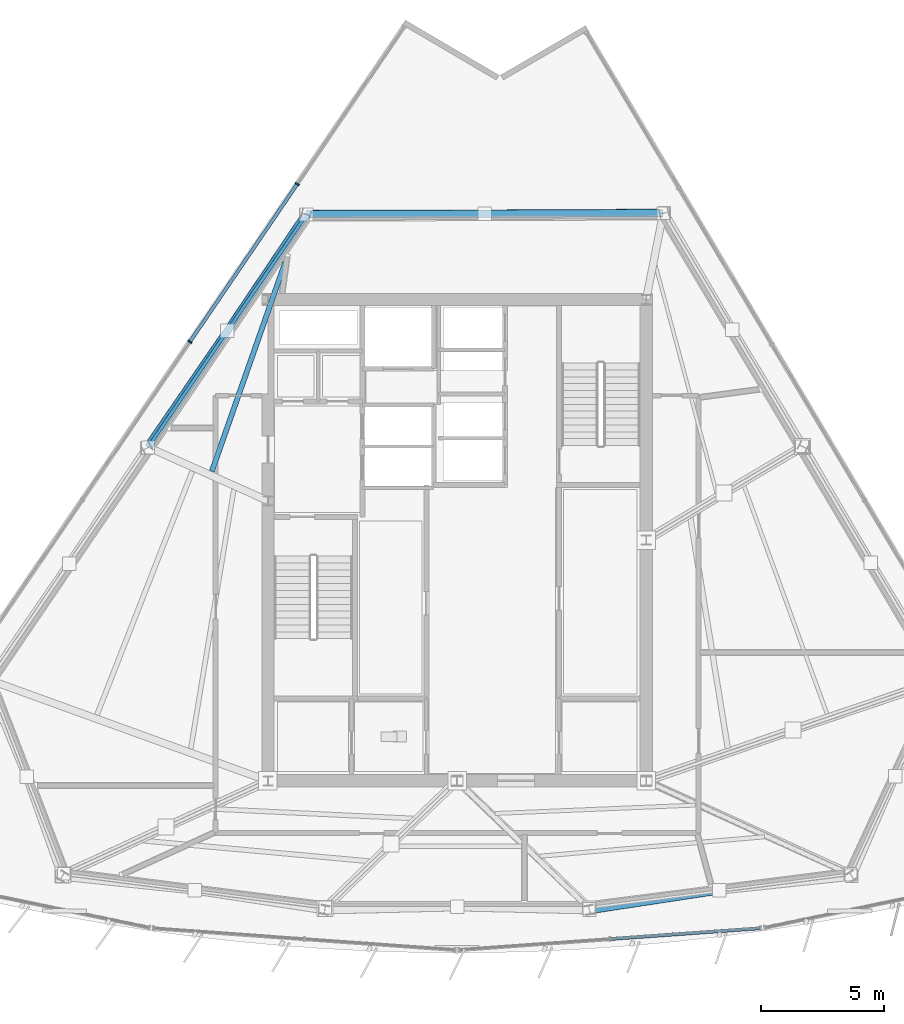
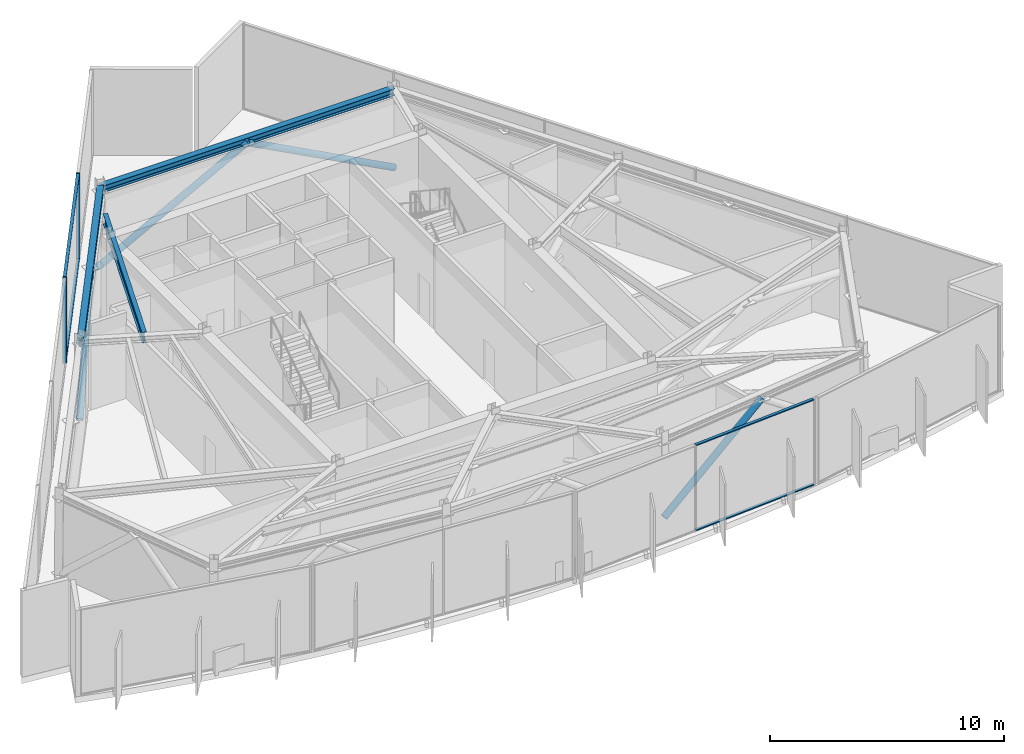
# One storey, part 4 of 14: 12 members, 3 beams, 2 elements without a shape of their own.
"""IFC4 building model written with IfcOpenShell, lengths in metres."""

from ifc_helpers import new_model, si_unit, direction, frame, origin, origin_2d, place, context, subcontext, project, spatial, rectangle, hollow_rectangle, hollow_circle, i_section, extrude, material, material_profile, profile_set, type_object, element, aggregate, save


model = new_model("IFC4")

# Units and contexts
model_context = context("Model", 3, precision=1e-05, world=origin(), true_north=direction((0.0, 1.0)))
body_context = subcontext(model_context, "Body", "Model", "MODEL_VIEW")
ifc_project = project(units=[si_unit("LENGTHUNIT", "METRE"), si_unit("AREAUNIT", "SQUARE_METRE"), si_unit("VOLUMEUNIT", "CUBIC_METRE"), si_unit("PLANEANGLEUNIT", "RADIAN"), si_unit("MASSUNIT", "GRAM", prefix="KILO")], contexts=[model_context])

# Site, building, storey
site_placement = place(None, origin())
site = spatial("IfcSite", under=ifc_project, at=site_placement, CompositionType="ELEMENT")
building_placement = place(site_placement, origin())
building = spatial("IfcBuilding", under=site, at=building_placement, Name="Savorim Split Tower", CompositionType="ELEMENT")
storey_placement = place(building_placement, frame((0.0, 0.0, 241.5)))
storey = spatial("IfcBuildingStorey", under=building, at=storey_placement, Name="L64", CompositionType="ELEMENT", Elevation=241.5)

# Beams
ifc_material_1 = material(Name="Steel S355", Category="steel")
ifc_material_profile_1 = material_profile(ifc_material_1, i_section(OverallWidth=0.2099609375, OverallDepth=0.550048828125, WebThickness=0.010986328125, FlangeThickness=0.01708984375, FilletRadius=0.02392578125, at=origin_2d()), Name="IPE 550")
ifc_profile_set_1 = profile_set([ifc_material_profile_1], Name="Steel S355")
beam_type_1 = type_object("IfcBeamType", Name="BM-JST-IPE550", PredefinedType="JOIST", material=ifc_profile_set_1)
beam_1_placement = place(storey_placement, frame((-6.99560546875, 11.71044921875, 4.22509765625), z_axis=(-0.331367515834, -0.943501759113, 0.0), x_axis=(0.943501759113, -0.331367515834, 0.0)))
element("IfcBeam", 1, at=beam_1_placement, inside=storey, type_object=beam_type_1, Name="L64 Secondary Floor Joist JS-09", PredefinedType="JOIST", context=body_context, shape_type="SweptSolid", body=[
    extrude(i_section(OverallWidth=0.2099609375, OverallDepth=0.550048828125, WebThickness=0.010986328125, FlangeThickness=0.01708984375, FilletRadius=0.02392578125, at=origin_2d()), origin(), (0.0, 0.0, 1.0), 9.0224609375),
])
ifc_material_profile_2 = material_profile(ifc_material_1, i_section(OverallWidth=0.300048828125, OverallDepth=0.35009765625, WebThickness=0.010009765625, FlangeThickness=0.017578125, FilletRadius=0.027099609375, at=origin_2d()), Name="HEA 360")
ifc_profile_set_2 = profile_set([ifc_material_profile_2], Name="Steel S355")
beam_type_2 = type_object("IfcBeamType", Name="BM-SPN-HEA360", PredefinedType="SPANDREL", material=ifc_profile_set_2)
beam_2_placement = place(storey_placement, frame((8.3916015625, 13.7099609375, 4.324951171875), z_axis=(-0.999994340842, -0.003364265714, 0.0), x_axis=(0.003364265714, -0.999994340842, 0.0)))
element("IfcBeam", 2, at=beam_2_placement, inside=storey, type_object=beam_type_2, Name="L64 Perimeter Spandrel Beam 7", PredefinedType="SPANDREL", context=body_context, shape_type="SweptSolid", body=[
    extrude(i_section(OverallWidth=0.300048828125, OverallDepth=0.35009765625, WebThickness=0.010009765625, FlangeThickness=0.017578125, FilletRadius=0.027099609375, at=origin_2d()), origin(), (0.0, 0.0, 1.0), 14.513671875),
])
beam_3_placement = place(storey_placement, frame((-6.1220703125, 13.6611328125, 4.324951171875), z_axis=(-0.562459105412, -0.826825105291, 0.0), x_axis=(0.826825105291, -0.562459105412, 0.0)))
element("IfcBeam", 3, at=beam_3_placement, inside=storey, type_object=beam_type_2, Name="L64 Perimeter Spandrel Beam 8", PredefinedType="SPANDREL", context=body_context, shape_type="SweptSolid", body=[
    extrude(i_section(OverallWidth=0.300048828125, OverallDepth=0.35009765625, WebThickness=0.010009765625, FlangeThickness=0.017578125, FilletRadius=0.027099609375, at=origin_2d()), origin(), (0.0, 0.0, 1.0), 11.466064453125),
])

# Curtain wall, members
ifc_material_2 = material(Name="Dark Ceramic-Fritted Insulated Glass", Category="glass")
curtain_wall_type = type_object("IfcCurtainWallType", Name="CW-REFUGE-LVR", PredefinedType="NOTDEFINED", material=ifc_material_2)
curtain_wall_1_placement = place(storey_placement, origin())
curtain_wall_1 = element("IfcCurtainWall", 4, at=curtain_wall_1_placement, inside=storey, type_object=curtain_wall_type, Name="L64 Curtain Wall CW-L64-WEST", PredefinedType="NOTDEFINED")
ifc_material_3 = material(Name="Charcoal Anodised Aluminium", Category="aluminium")
ifc_material_profile_3 = material_profile(ifc_material_3, rectangle(XDim=0.179931640625, YDim=0.06494140625, at=origin_2d()), Name="ALU-M 180x65")
ifc_profile_set_3 = profile_set([ifc_material_profile_3], Name="Charcoal Anodised Aluminium")
member_type_1 = type_object("IfcMemberType", Name="CWM-180x65", PredefinedType="MULLION", material=ifc_profile_set_3)
member_1_placement = place(storey_placement, frame((-6.505126953125, 14.8994140625, 0.0), z_axis=(0.0, 0.0, 1.0), x_axis=(0.826818160785, -0.562469313826, 0.0)))
member_1 = element("IfcMember", 5, at=member_1_placement, type_object=member_type_1, Name="CW-06 mullion 2", PredefinedType="MULLION", context=body_context, shape_type="SweptSolid", body=[
    extrude(rectangle(XDim=0.179931640625, YDim=0.06494140625, at=origin_2d()), origin(), (0.0, 0.0, 1.0), 4.5),
])
member_2_placement = place(storey_placement, frame((-10.8779296875, 8.47119140625, 0.0), z_axis=(0.0, 0.0, 1.0), x_axis=(0.826818160785, -0.562469313826, 0.0)))
member_2 = element("IfcMember", 6, at=member_2_placement, type_object=member_type_1, Name="CW-06 mullion 3", PredefinedType="MULLION", context=body_context, shape_type="SweptSolid", body=[
    extrude(rectangle(XDim=0.179931640625, YDim=0.06494140625, at=origin_2d()), origin(), (0.0, 0.0, 1.0), 4.5),
])

curtain_wall_2_placement = place(storey_placement, origin())
curtain_wall_2 = element("IfcCurtainWall", 7, at=curtain_wall_2_placement, inside=storey, type_object=curtain_wall_type, Name="L64 Curtain Wall CW-L64-SF3", PredefinedType="NOTDEFINED")
ifc_material_profile_4 = material_profile(ifc_material_3, rectangle(XDim=0.139892578125, YDim=0.054931640625, at=origin_2d()), Name="ALU-T 140x55")
ifc_profile_set_4 = profile_set([ifc_material_profile_4], Name="Charcoal Anodised Aluminium")
member_type_2 = type_object("IfcMemberType", Name="CWT-140x55", PredefinedType="USERDEFINED", material=ifc_profile_set_4)
member_3_placement = place(storey_placement, frame((6.254150390625, -15.834228515625, 0.027587890625), z_axis=(0.997435238596, 0.071574749785, 0.0), x_axis=(-0.071574749785, 0.997435238596, 0.0)))
member_3 = element("IfcMember", 8, at=member_3_placement, type_object=member_type_2, Name="CW-06 transom 2.1", ObjectType="TRANSOM", PredefinedType="USERDEFINED", context=body_context, shape_type="SweptSolid", body=[
    extrude(rectangle(XDim=0.139892578125, YDim=0.054931640625, at=origin_2d()), origin(), (0.0, 0.0, 1.0), 6.088623046875),
])
member_4_placement = place(storey_placement, frame((6.254150390625, -15.834228515625, 4.472412109375), z_axis=(0.997435238596, 0.071574749785, 0.0), x_axis=(-0.071574749785, 0.997435238596, 0.0)))
member_4 = element("IfcMember", 9, at=member_4_placement, type_object=member_type_2, Name="CW-06 transom 2.2", ObjectType="TRANSOM", PredefinedType="USERDEFINED", context=body_context, shape_type="SweptSolid", body=[
    extrude(rectangle(XDim=0.139892578125, YDim=0.054931640625, at=origin_2d()), origin(), (0.0, 0.0, 1.0), 6.088623046875),
])
aggregate(curtain_wall_2, [member_3, member_4])

# Member
member_5_placement = place(storey_placement, frame((-6.5234375, 14.87255859375, 0.027587890625), z_axis=(-0.562444271199, -0.826835196273, 0.0), x_axis=(0.826835196273, -0.562444271199, 0.0)))
member_5 = element("IfcMember", 10, at=member_5_placement, type_object=member_type_2, Name="CW-06 transom 2.1", ObjectType="TRANSOM", PredefinedType="USERDEFINED", context=body_context, shape_type="SweptSolid", body=[
    extrude(rectangle(XDim=0.139892578125, YDim=0.054931640625, at=origin_2d()), origin(), (0.0, 0.0, 1.0), 7.70947265625),
])

member_6_placement = place(storey_placement, frame((-6.5234375, 14.87255859375, 4.472412109375), z_axis=(-0.562444271199, -0.826835196273, 0.0), x_axis=(0.826835196273, -0.562444271199, 0.0)))
member_6 = element("IfcMember", 11, at=member_6_placement, type_object=member_type_2, Name="CW-06 transom 2.2", ObjectType="TRANSOM", PredefinedType="USERDEFINED", context=body_context, shape_type="SweptSolid", body=[
    extrude(rectangle(XDim=0.139892578125, YDim=0.054931640625, at=origin_2d()), origin(), (0.0, 0.0, 1.0), 7.70947265625),
])

aggregate(curtain_wall_1, [member_1, member_2, member_5, member_6])

# Members
ifc_material_4 = material(Name="Steel S460", Category="steel")
ifc_material_profile_5 = material_profile(ifc_material_4, hollow_circle(Radius=0.161865234375, WallThickness=0.01611328125, at=origin_2d()), Name="CHS 323.9x16")
ifc_profile_set_5 = profile_set([ifc_material_profile_5], Name="Steel S460")
member_type_3 = type_object("IfcMemberType", Name="MBR-BLT-CHS324", PredefinedType="BRACE", material=ifc_profile_set_5)
member_7_placement = place(storey_placement, frame((5.386962890625, -14.65771484375, 0.280029296875), z_axis=(0.799935290264, 0.121705230884, 0.587614982931), x_axis=(-0.150412943823, 0.988623258036, 0.0)))
element("IfcMember", 12, at=member_7_placement, inside=storey, type_object=member_type_3, Name="L64 Perimeter Belt Truss Brace 3A", PredefinedType="BRACE", context=body_context, shape_type="SweptSolid", body=[
    extrude(hollow_circle(Radius=0.161865234375, WallThickness=0.01611328125, at=origin_2d()), origin(), (0.0, 0.0, 1.0), 6.619873046875),
])
member_8_placement = place(storey_placement, frame((8.4326171875, 13.718994140625, 0.280029296875), z_axis=(-0.882454392111, -0.00404457033, 0.47038057708), x_axis=(0.004583271254, -0.999989496757, 0.0)))
element("IfcMember", 13, at=member_8_placement, inside=storey, type_object=member_type_3, Name="L64 Perimeter Belt Truss Brace 7A", PredefinedType="BRACE", context=body_context, shape_type="SweptSolid", body=[
    extrude(hollow_circle(Radius=0.161865234375, WallThickness=0.01611328125, at=origin_2d()), origin(), (0.0, 0.0, 1.0), 8.269775390625),
])
member_9_placement = place(storey_placement, frame((-6.152587890625, 13.670166015625, 0.280029296875), z_axis=(0.882191829905, 0.001861912405, 0.47088651343), x_axis=(-0.002110548063, 0.999997772791, 0.0)))
element("IfcMember", 14, at=member_9_placement, inside=storey, type_object=member_type_3, Name="L64 Perimeter Belt Truss Brace 7B", PredefinedType="BRACE", context=body_context, shape_type="SweptSolid", body=[
    extrude(hollow_circle(Radius=0.161865234375, WallThickness=0.01611328125, at=origin_2d()), origin(), (0.0, 0.0, 1.0), 8.2607421875),
])
member_10_placement = place(storey_placement, frame((-6.152587890625, 13.670166015625, 0.280029296875), z_axis=(-0.461561288239, -0.686291503486, 0.562107773867), x_axis=(0.829792504898, -0.558072037299, 0.0)))
element("IfcMember", 15, at=member_10_placement, inside=storey, type_object=member_type_3, Name="L64 Perimeter Belt Truss Brace 8A", PredefinedType="BRACE", context=body_context, shape_type="SweptSolid", body=[
    extrude(hollow_circle(Radius=0.161865234375, WallThickness=0.01611328125, at=origin_2d()), origin(), (0.0, 0.0, 1.0), 6.920166015625),
])
member_11_placement = place(storey_placement, frame((-12.630615234375, 4.147705078125, 0.280029296875), z_axis=(0.47058185214, 0.683989725017, 0.557414366973), x_axis=(-0.823851303909, 0.566805988895, 0.0)))
element("IfcMember", 16, at=member_11_placement, inside=storey, type_object=member_type_3, Name="L64 Perimeter Belt Truss Brace 8B", PredefinedType="BRACE", context=body_context, shape_type="SweptSolid", body=[
    extrude(hollow_circle(Radius=0.161865234375, WallThickness=0.01611328125, at=origin_2d()), origin(), (0.0, 0.0, 1.0), 6.978515625),
])
ifc_material_profile_6 = material_profile(ifc_material_1, hollow_rectangle(XDim=0.14990234375, YDim=0.25, WallThickness=0.012451171875, InnerFilletRadius=0.012451171875, OuterFilletRadius=0.02490234375, at=origin_2d()), Name="RHS 250x150x12.5")
ifc_profile_set_6 = profile_set([ifc_material_profile_6], Name="Steel S355")
member_type_4 = type_object("IfcMemberType", Name="MBR-CHD-RHS250", PredefinedType="CHORD", material=ifc_profile_set_6)
member_12_placement = place(storey_placement, frame((-6.126220703125, 13.662353515625, 4.169921875), z_axis=(-0.562468905401, -0.826818438629, 0.0), x_axis=(0.826818438629, -0.562468905401, 0.0)))
element("IfcMember", 17, at=member_12_placement, inside=storey, type_object=member_type_4, Name="L64 Perimeter Belt Truss Chord 8", PredefinedType="CHORD", context=body_context, shape_type="SweptSolid", body=[
    extrude(hollow_rectangle(XDim=0.14990234375, YDim=0.25, WallThickness=0.012451171875, InnerFilletRadius=0.012451171875, OuterFilletRadius=0.02490234375, at=origin_2d()), origin(), (0.0, 0.0, 1.0), 11.473388671875),
])

save(model, "model.ifc")
